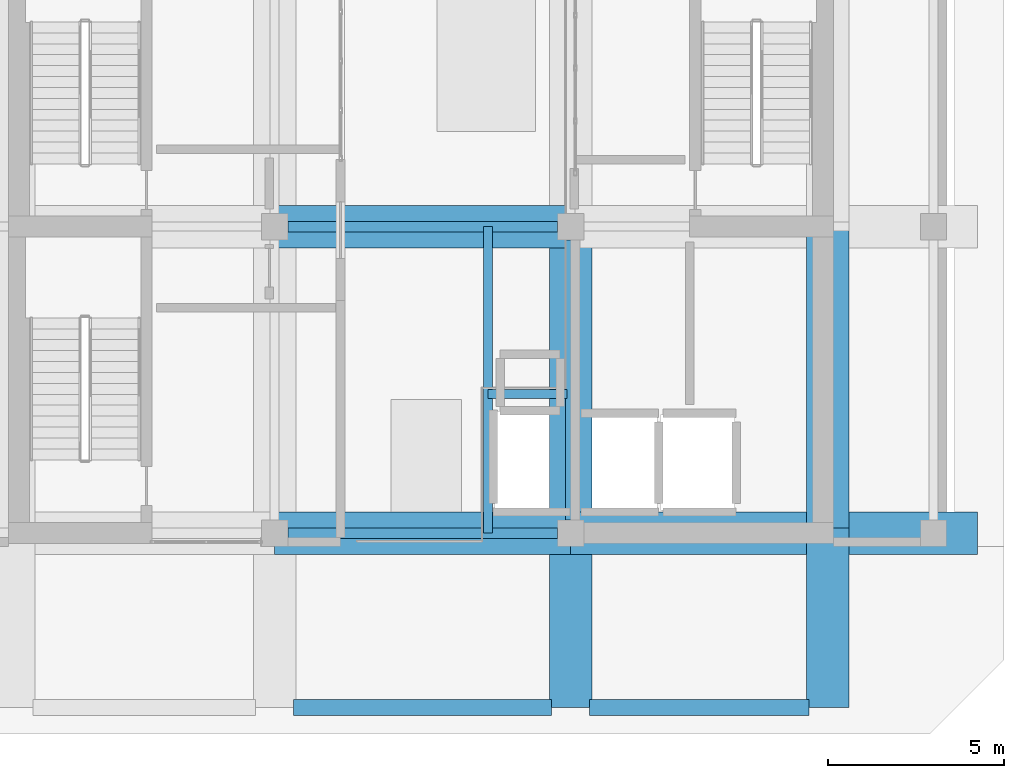
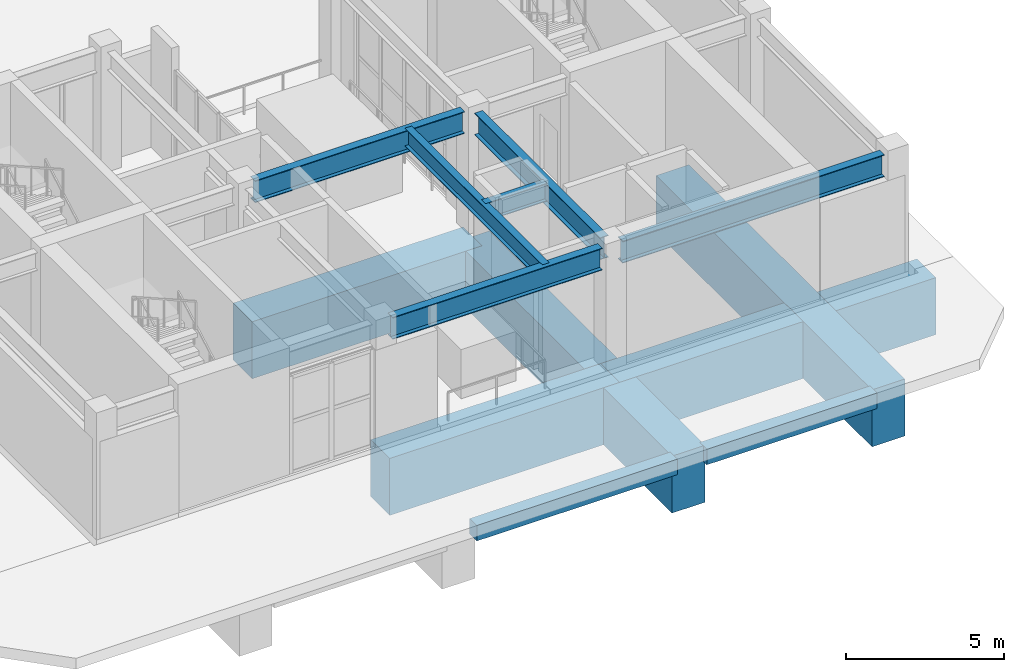
# One storey, part 5 of 16: 14 beams.
"""IFC4 building model written with IfcOpenShell, lengths in metres."""

from ifc_helpers import new_model, si_unit, direction, frame, origin, origin_2d, place, context, subcontext, project, spatial, rectangle, i_section, extrude, material, material_profile, profile_set, type_object, element, save


model = new_model("IFC4")

# Units and contexts
model_context = context("Model", 3, precision=1e-05, world=origin(), true_north=direction((0.0, 1.0)))
body_context = subcontext(model_context, "Body", "Model", "MODEL_VIEW")
ifc_project = project(units=[si_unit("LENGTHUNIT", "METRE"), si_unit("AREAUNIT", "SQUARE_METRE"), si_unit("VOLUMEUNIT", "CUBIC_METRE"), si_unit("PLANEANGLEUNIT", "RADIAN"), si_unit("MASSUNIT", "GRAM", prefix="KILO")], contexts=[model_context])

# Site, building, storey
site_placement = place(None, origin())
site = spatial("IfcSite", under=ifc_project, at=site_placement, CompositionType="ELEMENT")
building_placement = place(site_placement, origin())
building = spatial("IfcBuilding", under=site, at=building_placement, Name="Solanera Arch Residences", CompositionType="ELEMENT")
storey_placement = place(building_placement, frame((0.0, 0.0, 278.080078125)))
storey = spatial("IfcBuildingStorey", under=building, at=storey_placement, Name="L80", CompositionType="ELEMENT", Elevation=278.080078125)

# Beams
ifc_material_1 = material(Name="Steel S355 (ASTM A992 / A572 Grade 50)", Category="steel")
ifc_material_profile_1 = material_profile(ifc_material_1, i_section(OverallWidth=0.256103515625, OverallDepth=0.693115234375, WebThickness=0.014404296875, FlangeThickness=0.023681640625, at=origin_2d()))
ifc_profile_set_1 = profile_set([ifc_material_profile_1], Name="Steel S355 (ASTM A992 / A572 Grade 50)")
beam_type_1 = type_object("IfcBeamType", Name="Primary Beam W690X170", PredefinedType="BEAM", material=ifc_profile_set_1)
beam_1_placement = place(storey_placement, frame((26.85009765625, 22.0, 4.27294921875), z_axis=(0.0, 1.0, 0.0), x_axis=(-1.0, 0.0, 0.0)))
element("IfcBeam", 1, at=beam_1_placement, inside=storey, type_object=beam_type_1, Name="BM-L80-SVL-W", PredefinedType="BEAM", context=body_context, shape_type="SweptSolid", body=[
    extrude(i_section(OverallWidth=0.256103515625, OverallDepth=0.693115234375, WebThickness=0.014404296875, FlangeThickness=0.023681640625, at=origin_2d()), origin(), (0.0, 0.0, 1.0), 8.699951171875),
])
beam_2_placement = place(storey_placement, frame((26.85009765625, 25.949951171875, 4.27294921875), z_axis=(1.0, 0.0, 0.0), x_axis=(0.0, 1.0, 0.0)))
element("IfcBeam", 2, at=beam_2_placement, inside=storey, type_object=beam_type_1, Name="BM-L80-SVL-N", PredefinedType="BEAM", context=body_context, shape_type="SweptSolid", body=[
    extrude(i_section(OverallWidth=0.256103515625, OverallDepth=0.693115234375, WebThickness=0.014404296875, FlangeThickness=0.023681640625, at=origin_2d()), origin(), (0.0, 0.0, 1.0), 2.25),
])
ifc_material_2 = material(Name="Steel S355 (ASTM A992 / A572 Grade 50)", Category="steel")
ifc_material_profile_2 = material_profile(ifc_material_2, i_section(OverallWidth=0.2939453125, OverallDepth=0.85107421875, WebThickness=0.01611328125, FlangeThickness=0.02685546875, at=origin_2d()))
ifc_profile_set_2 = profile_set([ifc_material_profile_2], Name="Steel S355 (ASTM A992 / A572 Grade 50)")
beam_type_2 = type_object("IfcBeamType", Name="Primary Beam W840X226", PredefinedType="BEAM", material=ifc_profile_set_2)
beam_3_placement = place(storey_placement, frame((29.574951171875, 22.0, 4.19384765625), z_axis=(1.0, 0.0, 0.0), x_axis=(0.0, 1.0, 0.0)))
element("IfcBeam", 3, at=beam_3_placement, inside=storey, type_object=beam_type_2, Name="BM-L80-CR-ES", PredefinedType="BEAM", context=body_context, shape_type="SweptSolid", body=[
    extrude(i_section(OverallWidth=0.2939453125, OverallDepth=0.85107421875, WebThickness=0.01611328125, FlangeThickness=0.02685546875, at=origin_2d()), origin(), (0.0, 0.0, 1.0), 9.550048828125),
])
beam_4_placement = place(storey_placement, frame((29.199951171875, 22.375, 4.19384765625), z_axis=(0.0, 1.0, 0.0), x_axis=(-1.0, 0.0, 0.0)))
element("IfcBeam", 4, at=beam_4_placement, inside=storey, type_object=beam_type_2, Name="BM-L80-CR-E1", PredefinedType="BEAM", context=body_context, shape_type="SweptSolid", body=[
    extrude(i_section(OverallWidth=0.2939453125, OverallDepth=0.85107421875, WebThickness=0.01611328125, FlangeThickness=0.02685546875, at=origin_2d()), origin(), (0.0, 0.0, 1.0), 7.949951171875),
])
for number, where, z_axis, x_axis, name in (
    (5, (21.175048828125, 22.0, 4.19384765625), (1.0, 0.0, 0.0), (0.0, 1.0, 0.0), "BM-L80-SVL-S"),
    (6, (21.175048828125, 30.699951171875, 4.19384765625), (1.0, 0.0, 0.0), (0.0, 1.0, 0.0), "BM-L80-SVL-C"),
):
    element("IfcBeam", number, at=place(storey_placement, frame(where, z_axis=z_axis, x_axis=x_axis)), inside=storey, type_object=beam_type_2, Name=name, PredefinedType="BEAM", context=body_context, shape_type="SweptSolid", body=[
        extrude(i_section(OverallWidth=0.2939453125, OverallDepth=0.85107421875, WebThickness=0.01611328125, FlangeThickness=0.02685546875, at=origin_2d()), origin(), (0.0, 0.0, 1.0), 7.64990234375),
    ])
ifc_material_3 = material(Name="Concrete C40/50 (f'c = 45 MPa)", Category="concrete")
ifc_material_profile_3 = material_profile(ifc_material_3, rectangle(XDim=0.449951171875, YDim=0.60009765625, at=origin_2d()))
ifc_profile_set_3 = profile_set([ifc_material_profile_3], Name="Concrete C40/50 (f'c = 45 MPa)")
beam_type_3 = type_object("IfcBeamType", Name="Spandrel Beam RC-BM-450X600", PredefinedType="SPANDREL", material=ifc_profile_set_3)
beam_5_placement = place(storey_placement, frame((21.340087890625, 17.050048828125, -0.719970703125), z_axis=(1.0, 0.0, 0.0), x_axis=(0.0, 1.0, 0.0)))
element("IfcBeam", 7, at=beam_5_placement, inside=storey, type_object=beam_type_3, Name="BM-L80-CAP-S2", PredefinedType="SPANDREL", context=body_context, shape_type="SweptSolid", body=[
    extrude(rectangle(XDim=0.449951171875, YDim=0.60009765625, at=origin_2d()), origin(), (0.0, 0.0, 1.0), 7.31982421875),
])
beam_6_placement = place(storey_placement, frame((29.739990234375, 17.050048828125, -0.719970703125), z_axis=(1.0, 0.0, 0.0), x_axis=(0.0, 1.0, 0.0)))
element("IfcBeam", 8, at=beam_6_placement, inside=storey, type_object=beam_type_3, Name="BM-L80-CAP-S3", PredefinedType="SPANDREL", context=body_context, shape_type="SweptSolid", body=[
    extrude(rectangle(XDim=0.449951171875, YDim=0.60009765625, at=origin_2d()), origin(), (0.0, 0.0, 1.0), 6.219970703125),
])
ifc_material_4 = material(Name="Concrete C55/67 (f'c = 60 MPa)", Category="concrete")
ifc_material_profile_4 = material_profile(ifc_material_4, rectangle(XDim=1.199951171875, YDim=2.199951171875, at=origin_2d()))
ifc_profile_set_4 = profile_set([ifc_material_profile_4], Name="Concrete C55/67 (f'c = 60 MPa)")
beam_type_4 = type_object("IfcBeamType", Name="Transfer Girder RC-BM-1200X2200", PredefinedType="BEAM", material=ifc_profile_set_4)
for number, where, z_axis, x_axis, name in (
    (9, (29.199951171875, 17.050048828125, -1.52001953125), (0.0, 1.0, 0.0), (-1.0, 0.0, 0.0), "BM-L80-CRX-NSS-292"),
    (10, (36.5, 17.050048828125, -1.52001953125), (0.0, 1.0, 0.0), (-1.0, 0.0, 0.0), "BM-L80-CRX-NSS-365"),
):
    element("IfcBeam", number, at=place(storey_placement, frame(where, z_axis=z_axis, x_axis=x_axis)), inside=storey, type_object=beam_type_4, Name=name, PredefinedType="BEAM", context=body_context, shape_type="SweptSolid", body=[
        extrude(rectangle(XDim=1.199951171875, YDim=2.199951171875, at=origin_2d()), origin(), (0.0, 0.0, 1.0), 13.64990234375),
    ])
beam_7_placement = place(storey_placement, frame((20.800048828125, 22.0, -1.52001953125), z_axis=(1.0, 0.0, 0.0), x_axis=(0.0, 1.0, 0.0)))
element("IfcBeam", 11, at=beam_7_placement, inside=storey, type_object=beam_type_4, Name="BM-L80-CRX-EWCC-220", PredefinedType="BEAM", context=body_context, shape_type="SweptSolid", body=[
    extrude(rectangle(XDim=1.199951171875, YDim=2.199951171875, at=origin_2d()), origin(), (0.0, 0.0, 1.0), 8.39990234375),
])
beam_8_placement = place(storey_placement, frame((29.199951171875, 22.0, -1.52001953125), z_axis=(1.0, 0.0, 0.0), x_axis=(0.0, 1.0, 0.0)))
element("IfcBeam", 12, at=beam_8_placement, inside=storey, type_object=beam_type_4, Name="BM-L80-CRX-EWCE-220", PredefinedType="BEAM", context=body_context, shape_type="SweptSolid", body=[
    extrude(rectangle(XDim=1.199951171875, YDim=2.199951171875, at=origin_2d()), origin(), (0.0, 0.0, 1.0), 6.699951171875),
])
beam_9_placement = place(storey_placement, frame((37.10009765625, 22.0, -1.52001953125), z_axis=(1.0, 0.0, 0.0), x_axis=(0.0, 1.0, 0.0)))
element("IfcBeam", 13, at=beam_9_placement, inside=storey, type_object=beam_type_4, Name="BM-L80-CRX-EWE-220", PredefinedType="BEAM", context=body_context, shape_type="SweptSolid", body=[
    extrude(rectangle(XDim=1.199951171875, YDim=2.199951171875, at=origin_2d()), origin(), (0.0, 0.0, 1.0), 3.64990234375),
])
beam_10_placement = place(storey_placement, frame((20.800048828125, 30.699951171875, -1.52001953125), z_axis=(1.0, 0.0, 0.0), x_axis=(0.0, 1.0, 0.0)))
element("IfcBeam", 14, at=beam_10_placement, inside=storey, type_object=beam_type_4, Name="BM-L80-CRX-EWCC-307", PredefinedType="BEAM", context=body_context, shape_type="SweptSolid", body=[
    extrude(rectangle(XDim=1.199951171875, YDim=2.199951171875, at=origin_2d()), origin(), (0.0, 0.0, 1.0), 8.39990234375),
])

save(model, "model.ifc")
